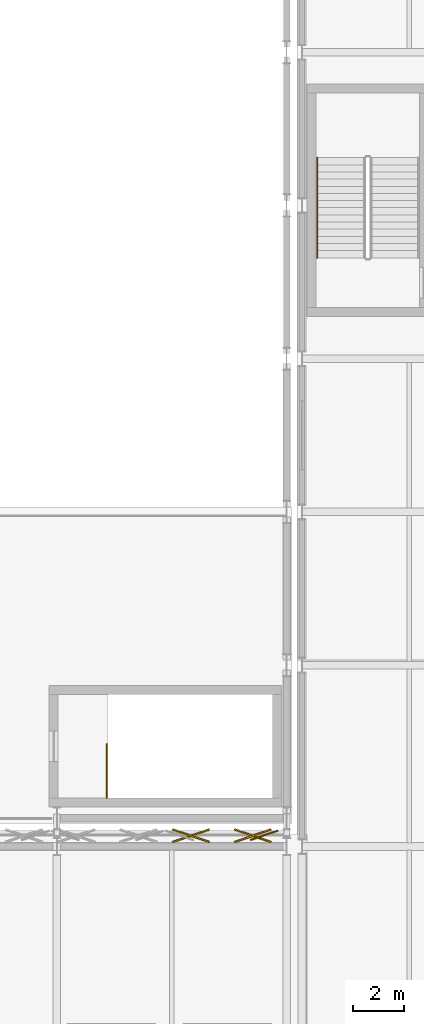
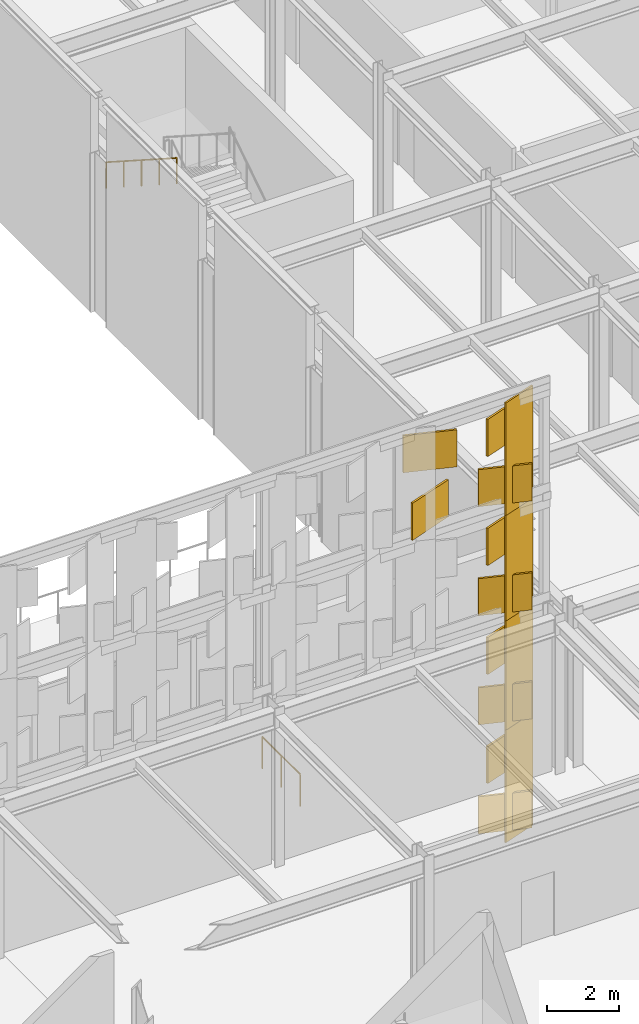
# One storey, part 190 of 210: 14 coverings, 2 railings.
"""IFC4 building model written with IfcOpenShell, lengths in metres."""

from ifc_helpers import new_model, si_unit, direction, frame, origin, origin_2d, place, context, subcontext, project, spatial, rectangle, circle, extrude, material, layer, layer_set, type_object, element, save


model = new_model("IFC4")

# Units and contexts
model_context = context("Model", 3, precision=1e-05, world=origin(), true_north=direction((0.0, 1.0)))
body_context = subcontext(model_context, "Body", "Model", "MODEL_VIEW")
ifc_project = project(units=[si_unit("LENGTHUNIT", "METRE"), si_unit("AREAUNIT", "SQUARE_METRE"), si_unit("VOLUMEUNIT", "CUBIC_METRE"), si_unit("PLANEANGLEUNIT", "RADIAN"), si_unit("MASSUNIT", "GRAM", prefix="KILO")], contexts=[model_context])

# Site, building, storey
site_placement = place(None, origin())
site = spatial("IfcSite", under=ifc_project, at=site_placement, CompositionType="ELEMENT")
building_placement = place(site_placement, origin())
building = spatial("IfcBuilding", under=site, at=building_placement, Name="Kaldris Quays Convention Centre", CompositionType="ELEMENT")
storey_placement = place(building_placement, frame((0.0, 0.0, 6.0)))
storey = spatial("IfcBuildingStorey", under=building, at=storey_placement, Name="L01", CompositionType="ELEMENT", Elevation=6.0)

# Railings
ifc_material_1 = material(Name="Steel S355J2", Category="steel")
railing_type_1 = type_object("IfcRailingType", Name="INTERIOR GUARDRAIL GR01", PredefinedType="GUARDRAIL", material=ifc_material_1)
railing_1_placement = place(storey_placement, frame((138.949951171875, 56.800048828125, 0.0)))
element("IfcRailing", 1, at=railing_1_placement, inside=storey, type_object=railing_type_1, Name="L01 ST02 Top Well Guardrail 1", PredefinedType="GUARDRAIL", context=body_context, shape_type="SweptSolid", body=[
    extrude(circle(Radius=0.02392578125, at=origin_2d()), frame((0.0, 0.0, 1.076171875), z_axis=(0.0, 1.0, 0.0), x_axis=(-1.0, 0.0, 0.0)), (0.0, 0.0, 1.0), 2.099853515625),
    extrude(circle(Radius=0.02099609375, at=origin_2d()), origin(), (0.0, 0.0, 1.0), 1.052001953125),
    extrude(circle(Radius=0.02099609375, at=origin_2d()), frame((0.0, 1.0498046875, 0.0)), (0.0, 0.0, 1.0), 1.052001953125),
    extrude(circle(Radius=0.02099609375, at=origin_2d()), frame((0.0, 2.099853515625, 0.0)), (0.0, 0.0, 1.0), 1.052001953125),
])
ifc_material_2 = material(Name="Stainless steel 1.4301", Category="steel")
railing_type_2 = type_object("IfcRailingType", Name="STAIR HANDRAIL HR01", PredefinedType="HANDRAIL", material=ifc_material_2)
railing_2_placement = place(storey_placement, frame((147.199951171875, 81.8701171875, 2.8798828125)))
element("IfcRailing", 2, at=railing_2_placement, inside=storey, type_object=railing_type_2, Name="L01 ST14 Flight Handrail 2", PredefinedType="HANDRAIL", context=body_context, shape_type="SweptSolid", body=[
    extrude(circle(Radius=0.02392578125, at=origin_2d()), frame((0.0, 0.0, 0.8759765625), z_axis=(0.0, -0.841186985886, 0.540744352514), x_axis=(1.0, 0.0, 0.0)), (0.0, 0.0, 1.0), 4.660400390625),
    extrude(circle(Radius=0.02099609375, at=origin_2d()), origin(), (0.0, 0.0, 1.0), 0.851806640625),
    extrude(circle(Radius=0.02099609375, at=origin_2d()), frame((0.0, -0.97998046875, 0.6298828125)), (0.0, 0.0, 1.0), 0.851806640625),
    extrude(circle(Radius=0.02099609375, at=origin_2d()), frame((0.0, -1.9599609375, 1.260009765625)), (0.0, 0.0, 1.0), 0.851806640625),
    extrude(circle(Radius=0.02099609375, at=origin_2d()), frame((0.0, -2.940185546875, 1.89013671875)), (0.0, 0.0, 1.0), 0.851806640625),
    extrude(circle(Radius=0.02099609375, at=origin_2d()), frame((0.0, -3.920166015625, 2.52001953125)), (0.0, 0.0, 1.0), 0.851806640625),
])

# Coverings
ifc_material_3 = material(Name="Alabaster white star-pierced anodized aluminium panel", Category="aluminium")
ifc_layer = layer(ifc_material_3, 0.044921875)
ifc_layer_set = layer_set([ifc_layer], Name="Alabaster white star-pierced anodized aluminium panel")
covering_type = type_object("IfcCoveringType", Name="STAR PIERCED WHITE FOLDED SCREEN CL01", PredefinedType="CLADDING", material=ifc_layer_set)
covering_1_placement = place(storey_placement, frame((145.117919921875, 55.340087890625, -2.2099609375), z_axis=(0.0, 0.0, 1.0), x_axis=(0.945518575599, 0.325568154457, 0.0)))
element("IfcCovering", 3, at=covering_1_placement, inside=storey, type_object=covering_type, Name="V1S Folded White Screen Stile 1729", PredefinedType="CLADDING", context=body_context, shape_type="SweptSolid", body=[
    extrude(rectangle(XDim=1.136962890625, YDim=0.054931640625, at=origin_2d()), origin(), (0.0, 0.0, 1.0), 3.820068359375),
])
for number, where, z_axis, x_axis, name in (
    (4, (144.669921875, 55.320068359375, -1.92822265625), (0.0, 0.0, 1.0), (0.945518575599, -0.325568154457, 0.0), "V1S Carved Star Corner Facet 1732"),
    (5, (144.669921875, 55.320068359375, 0.06982421875), (0.0, 0.0, 1.0), (0.945518575599, 0.325568154457, 0.0), "V1S Carved Star Corner Facet 1733"),
):
    element("IfcCovering", number, at=place(storey_placement, frame(where, z_axis=z_axis, x_axis=x_axis)), inside=storey, type_object=covering_type, Name=name, PredefinedType="CLADDING", context=body_context, shape_type="SweptSolid", body=[
        extrude(rectangle(XDim=1.52294921875, YDim=0.06494140625, at=origin_2d()), origin(), (0.0, 0.0, 1.0), 1.258056640625),
    ])
covering_2_placement = place(storey_placement, frame((145.117919921875, 55.340087890625, 1.48974609375), z_axis=(0.0, 0.0, 1.0), x_axis=(0.945518575599, 0.325568154457, 0.0)))
element("IfcCovering", 6, at=covering_2_placement, inside=storey, type_object=covering_type, Name="V1S Folded White Screen Stile 1735", PredefinedType="CLADDING", context=body_context, shape_type="SweptSolid", body=[
    extrude(rectangle(XDim=1.136962890625, YDim=0.054931640625, at=origin_2d()), origin(), (0.0, 0.0, 1.0), 3.820068359375),
])
for number, where, z_axis, x_axis, name in (
    (7, (144.669921875, 55.320068359375, 1.77197265625), (0.0, 0.0, 1.0), (0.945518575599, -0.325568154457, 0.0), "V1S Carved Star Corner Facet 1738"),
    (8, (144.669921875, 55.320068359375, 3.77001953125), (0.0, 0.0, 1.0), (0.945518575599, 0.325568154457, 0.0), "V1S Carved Star Corner Facet 1739"),
):
    element("IfcCovering", number, at=place(storey_placement, frame(where, z_axis=z_axis, x_axis=x_axis)), inside=storey, type_object=covering_type, Name=name, PredefinedType="CLADDING", context=body_context, shape_type="SweptSolid", body=[
        extrude(rectangle(XDim=1.52294921875, YDim=0.06494140625, at=origin_2d()), origin(), (0.0, 0.0, 1.0), 1.258056640625),
    ])
covering_3_placement = place(storey_placement, frame((145.117919921875, 55.340087890625, 5.18994140625), z_axis=(0.0, 0.0, 1.0), x_axis=(0.945518575599, 0.325568154457, 0.0)))
element("IfcCovering", 9, at=covering_3_placement, inside=storey, type_object=covering_type, Name="V1S Folded White Screen Stile 1741", PredefinedType="CLADDING", context=body_context, shape_type="SweptSolid", body=[
    extrude(rectangle(XDim=1.136962890625, YDim=0.054931640625, at=origin_2d()), origin(), (0.0, 0.0, 1.0), 3.820068359375),
])
for number, where, z_axis, x_axis, name in (
    (10, (144.669921875, 55.320068359375, 5.47216796875), (0.0, 0.0, 1.0), (0.945518575599, -0.325568154457, 0.0), "V1S Carved Star Corner Facet 1744"),
    (11, (144.669921875, 55.320068359375, 7.47021484375), (0.0, 0.0, 1.0), (0.945518575599, 0.325568154457, 0.0), "V1S Carved Star Corner Facet 1745"),
):
    element("IfcCovering", number, at=place(storey_placement, frame(where, z_axis=z_axis, x_axis=x_axis)), inside=storey, type_object=covering_type, Name=name, PredefinedType="CLADDING", context=body_context, shape_type="SweptSolid", body=[
        extrude(rectangle(XDim=1.52294921875, YDim=0.06494140625, at=origin_2d()), origin(), (0.0, 0.0, 1.0), 1.258056640625),
    ])
covering_4_placement = place(storey_placement, frame((145.117919921875, 55.340087890625, 8.89013671875), z_axis=(0.0, 0.0, 1.0), x_axis=(0.945518575599, 0.325568154457, 0.0)))
element("IfcCovering", 12, at=covering_4_placement, inside=storey, type_object=covering_type, Name="V1S Folded White Screen Stile 1747", PredefinedType="CLADDING", context=body_context, shape_type="SweptSolid", body=[
    extrude(rectangle(XDim=1.136962890625, YDim=0.054931640625, at=origin_2d()), origin(), (0.0, 0.0, 1.0), 3.820068359375),
])
for number, where, z_axis, x_axis, name in (
    (13, (142.25146484375, 55.320068359375, 9.171875), (0.0, 0.0, 1.0), (0.945518575599, 0.325568154457, 0.0), "V1S Carved Star Corner Facet 1748"),
    (14, (142.25146484375, 55.320068359375, 11.169921875), (0.0, 0.0, 1.0), (0.945518575599, -0.325568154457, 0.0), "V1S Carved Star Corner Facet 1749"),
    (15, (144.669921875, 55.320068359375, 9.171875), (0.0, 0.0, 1.0), (0.945518575599, -0.325568154457, 0.0), "V1S Carved Star Corner Facet 1750"),
    (16, (144.669921875, 55.320068359375, 11.169921875), (0.0, 0.0, 1.0), (0.945518575599, 0.325568154457, 0.0), "V1S Carved Star Corner Facet 1751"),
):
    element("IfcCovering", number, at=place(storey_placement, frame(where, z_axis=z_axis, x_axis=x_axis)), inside=storey, type_object=covering_type, Name=name, PredefinedType="CLADDING", context=body_context, shape_type="SweptSolid", body=[
        extrude(rectangle(XDim=1.52294921875, YDim=0.06494140625, at=origin_2d()), origin(), (0.0, 0.0, 1.0), 1.258056640625),
    ])

save(model, "model.ifc")
